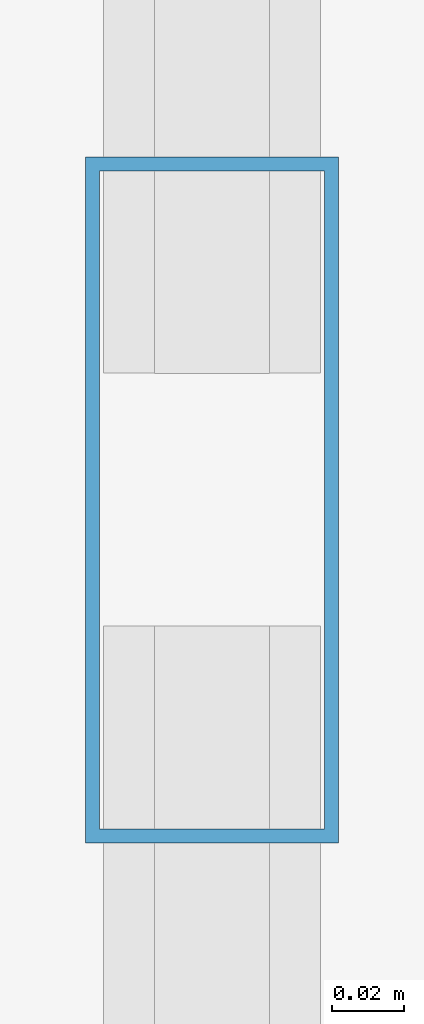
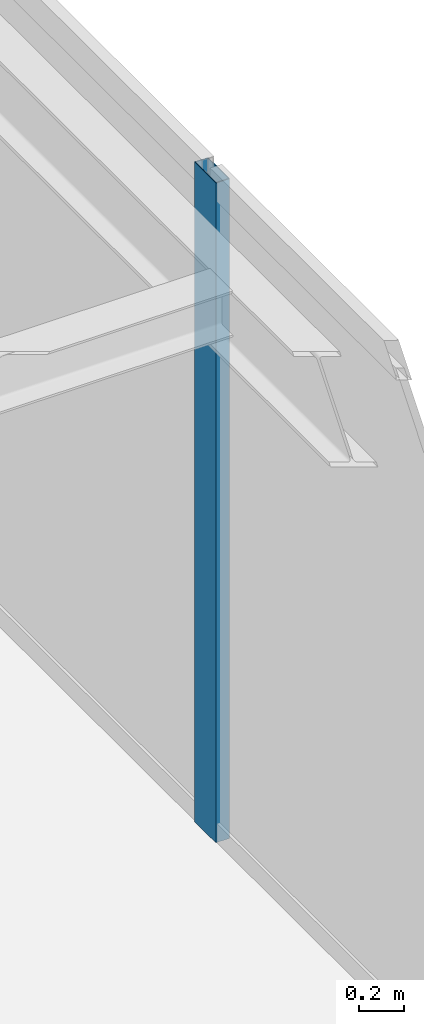
# One storey, part 20 of 33: 1 member, 1 element without a shape of its own.
"""IFC4 building model written with IfcOpenShell, lengths in metres."""

from ifc_helpers import new_model, si_unit, direction, frame, origin, origin_2d, place, context, subcontext, project, spatial, hollow_rectangle, extrude, source, transform, mapped, material, layer, layer_set, material_profile, profile_set, type_object, type_shapes, element, aggregate, save


model = new_model("IFC4")

# Units and contexts
model_context = context("Model", 3, precision=1e-05, world=origin(), true_north=direction((0.0, 1.0)))
body_context = subcontext(model_context, "Body", "Model", "MODEL_VIEW")
ifc_project = project(units=[si_unit("LENGTHUNIT", "METRE"), si_unit("AREAUNIT", "SQUARE_METRE"), si_unit("VOLUMEUNIT", "CUBIC_METRE"), si_unit("PLANEANGLEUNIT", "RADIAN"), si_unit("MASSUNIT", "GRAM", prefix="KILO")], contexts=[model_context])

# Site, building, storey
site_placement = place(None, origin())
site = spatial("IfcSite", under=ifc_project, at=site_placement, CompositionType="ELEMENT")
building_placement = place(site_placement, origin())
building = spatial("IfcBuilding", under=site, at=building_placement, Name="Varnel Quay Broadcast Tower", CompositionType="ELEMENT")
storey_placement = place(building_placement, frame((0.0, 0.0, 129.60009765625)))
storey = spatial("IfcBuildingStorey", under=building, at=storey_placement, Name="L31", CompositionType="ELEMENT", Elevation=129.60009765625)

# Curtain wall, member
ifc_material = material(Name="Anodised Bronze Aluminium 6063-T6", Category="aluminium")
ifc_layer = layer(ifc_material, 0.18994140625, Name="Anodised Bronze Aluminium 6063-T6")
ifc_layer_set = layer_set([ifc_layer], Name="Anodised Bronze Aluminium 6063-T6")
curtain_wall_type = type_object("IfcCurtainWallType", Name="CW_LowerTower", PredefinedType="NOTDEFINED", material=ifc_layer_set)
curtain_wall_placement = place(storey_placement, origin())
curtain_wall = element("IfcCurtainWall", 1, at=curtain_wall_placement, inside=storey, type_object=curtain_wall_type, Name="L31 East Unitised Curtain Wall", PredefinedType="NOTDEFINED")
ifc_material_profile = material_profile(ifc_material, hollow_rectangle(XDim=0.070068359375, YDim=0.18994140625, WallThickness=0.00390625, at=origin_2d()), Name="ALU70X190X4")
ifc_profile_set = profile_set([ifc_material_profile], Name="Anodised Bronze Aluminium 6063-T6")
member_type = type_object("IfcMemberType", Name="Mull_CWS-02", PredefinedType="MULLION", material=ifc_profile_set)
shared_shape = source(origin(), body_context, "Body", "SweptSolid", [
    extrude(hollow_rectangle(XDim=0.070068359375, YDim=0.18994140625, WallThickness=0.00390625, at=origin_2d()), origin(), (0.0, 0.0, 1.0), 3.5498046875),
])
type_shapes(member_type, [shared_shape])
member_placement = place(storey_placement, frame((63.35009765625, 31.39990234375, 0.0), z_axis=(0.0, 0.0, 1.0), x_axis=(-1.0, 0.0, 0.0)))
member = element("IfcMember", 2, at=member_placement, type_object=member_type, Name="CWS-02 mullion 3", PredefinedType="MULLION", context=body_context, shape_type="MappedRepresentation", body=[
    mapped(shared_shape, transform((0.0, 0.0, 0.0), x_axis=(1.0, 0.0, 0.0), y_axis=(0.0, 1.0, 0.0), z_axis=(0.0, 0.0, 1.0), scale=1.0)),
])
aggregate(curtain_wall, [member])

save(model, "model.ifc")
